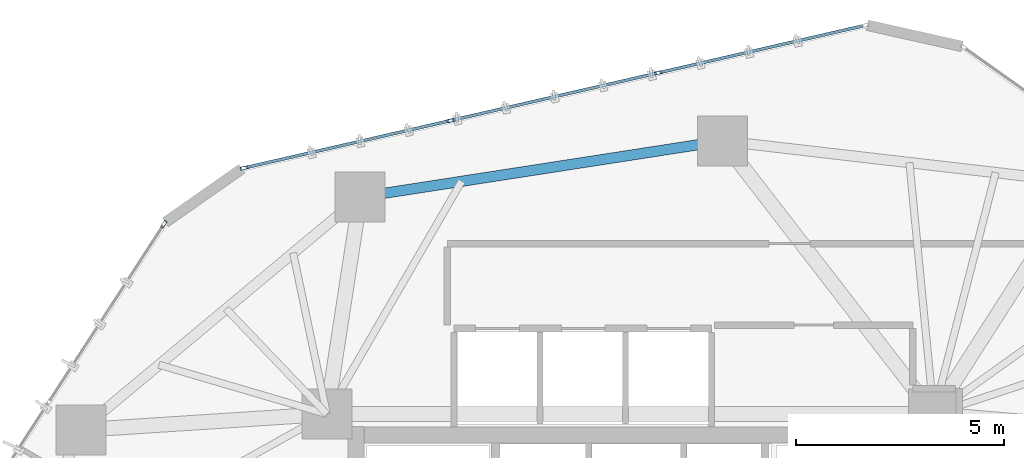
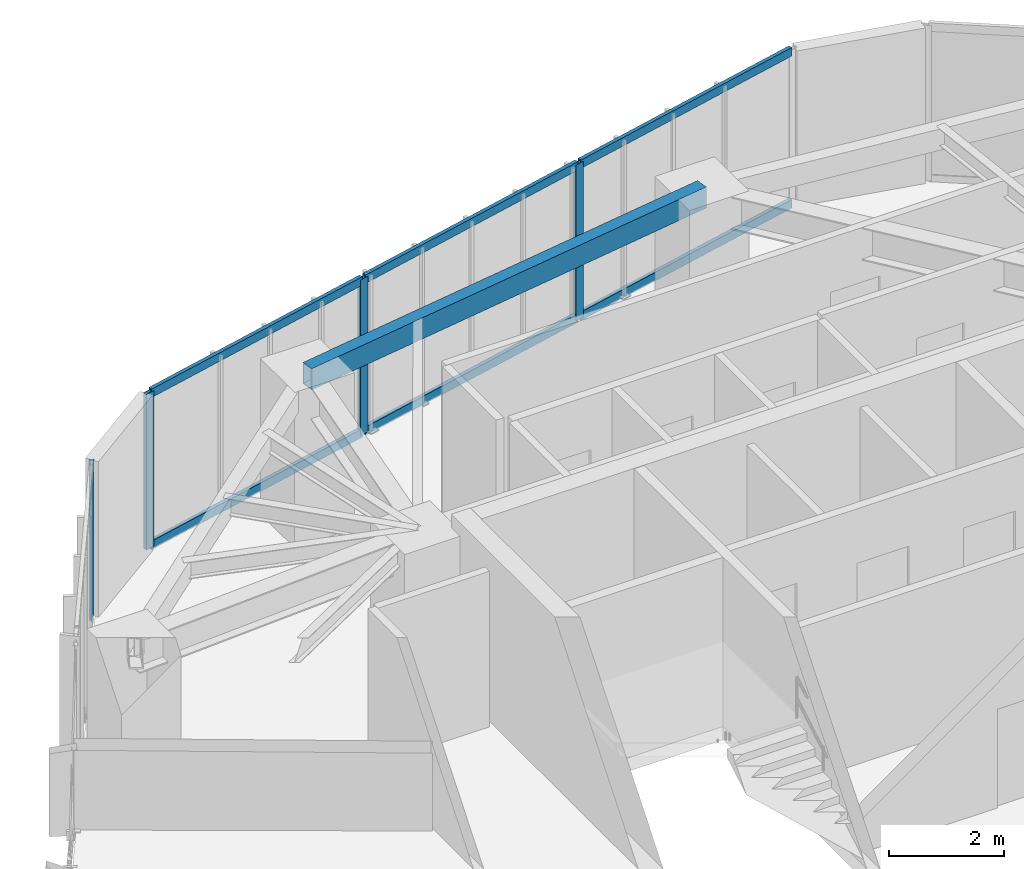
# One storey, part 14 of 21: 10 members, 1 beam, 2 elements without a shape of their own.
"""IFC4 building model written with IfcOpenShell, lengths in metres."""

from ifc_helpers import new_model, si_unit, direction, frame, origin, origin_2d, place, context, subcontext, project, spatial, hollow_rectangle, extrude, source, transform, mapped, material, layer, layer_set, material_profile, profile_set, type_object, type_shapes, element, aggregate, save


model = new_model("IFC4")

# Units and contexts
model_context = context("Model", 3, precision=1e-05, world=origin(), true_north=direction((0.0, 1.0)))
body_context = subcontext(model_context, "Body", "Model", "MODEL_VIEW")
ifc_project = project(units=[si_unit("LENGTHUNIT", "METRE"), si_unit("AREAUNIT", "SQUARE_METRE"), si_unit("VOLUMEUNIT", "CUBIC_METRE"), si_unit("PLANEANGLEUNIT", "RADIAN"), si_unit("MASSUNIT", "GRAM", prefix="KILO")], contexts=[model_context])

# Site, building, storey
site_placement = place(None, origin())
site = spatial("IfcSite", under=ifc_project, at=site_placement, CompositionType="ELEMENT")
building_placement = place(site_placement, origin())
building = spatial("IfcBuilding", under=site, at=building_placement, Name="Talar Marvaseh", CompositionType="ELEMENT")
storey_placement = place(building_placement, frame((0.0, 0.0, 129.0)))
storey = spatial("IfcBuildingStorey", under=building, at=storey_placement, Name="L33", CompositionType="ELEMENT", Elevation=129.0)

# Beam
ifc_material_1 = material(Name="Steel S355", Category="steel")
ifc_material_profile_1 = material_profile(ifc_material_1, hollow_rectangle(XDim=0.25, YDim=0.449951171875, WallThickness=0.01611328125, at=origin_2d()), Name="RHS450x250x16")
ifc_profile_set_1 = profile_set([ifc_material_profile_1], Name="Steel S355")
beam_type = type_object("IfcBeamType", Name="Zone 2 Perimeter Spandrel Beam RHS450x250x16", PredefinedType="SPANDREL", material=ifc_profile_set_1)
beam_placement = place(storey_placement, frame((19.5009765625, 42.123046875, 3.0849609375), z_axis=(0.988248879948, 0.152853365295, 0.0), x_axis=(-0.152853365295, 0.988248879948, 0.0)))
element("IfcBeam", 1, at=beam_placement, inside=storey, type_object=beam_type, Name="L33 Zone 2 Perimeter Spandrel Beam RHS450x250x16", PredefinedType="SPANDREL", context=body_context, shape_type="SweptSolid", body=[
    extrude(hollow_rectangle(XDim=0.25, YDim=0.449951171875, WallThickness=0.01611328125, at=origin_2d()), origin(), (0.0, 0.0, 1.0), 8.82470703125),
])

# Curtain wall, member
ifc_material_2 = material(Name="Architectural Aluminium", Category="aluminium")
ifc_layer = layer(ifc_material_2, 0.199951171875)
ifc_layer_set = layer_set([ifc_layer], Name="Architectural Aluminium")
curtain_wall_type = type_object("IfcCurtainWallType", Name="Unitised Acoustic Library Curtain Wall Z2", PredefinedType="NOTDEFINED", material=ifc_layer_set)
curtain_wall_1_placement = place(storey_placement, origin())
curtain_wall_1 = element("IfcCurtainWall", 2, at=curtain_wall_1_placement, inside=storey, type_object=curtain_wall_type, Name="L33 Unitised Acoustic Library Curtain Wall Z2", PredefinedType="NOTDEFINED")
ifc_material_profile_2 = material_profile(ifc_material_2, hollow_rectangle(XDim=0.074951171875, YDim=0.179931640625, WallThickness=0.0048828125, at=origin_2d()), Name="RHS180x75x5")
ifc_profile_set_2 = profile_set([ifc_material_profile_2], Name="Architectural Aluminium")
member_type_1 = type_object("IfcMemberType", Name="Unitised Curtain Wall Standard Mullion RHS180x75x5", PredefinedType="MULLION", material=ifc_profile_set_2)
shared_shape_1 = source(origin(), body_context, "Body", "SweptSolid", [
    extrude(hollow_rectangle(XDim=0.074951171875, YDim=0.179931640625, WallThickness=0.0048828125, at=origin_2d()), origin(), (0.0, 0.0, 1.0), 3.31005859375),
])
type_shapes(member_type_1, [shared_shape_1])
member_1_placement = place(storey_placement, frame((14.77880859375, 41.46875, 0.0), z_axis=(0.0, 0.0, 1.0), x_axis=(-0.839314849369, 0.543645641598, 0.0)))
member_1 = element("IfcMember", 3, at=member_1_placement, type_object=member_type_1, Name="CW-Z2 mullion 4", PredefinedType="MULLION", context=body_context, shape_type="MappedRepresentation", body=[
    mapped(shared_shape_1, transform((0.0, 0.0, 0.0), x_axis=(1.0, 0.0, 0.0), y_axis=(0.0, 1.0, 0.0), z_axis=(0.0, 0.0, 1.0), scale=1.0)),
])
aggregate(curtain_wall_1, [member_1])

# Curtain wall, members
curtain_wall_2_placement = place(storey_placement, origin())
curtain_wall_2 = element("IfcCurtainWall", 4, at=curtain_wall_2_placement, inside=storey, type_object=curtain_wall_type, Name="L33 Unitised Acoustic Library Curtain Wall Z2", PredefinedType="NOTDEFINED")
member_2_placement = place(storey_placement, frame((16.711669921875, 42.822265625, 0.0), z_axis=(0.0, 0.0, 1.0), x_axis=(-0.223792586722, 0.974636792928, 0.0)))
member_2 = element("IfcMember", 5, at=member_2_placement, type_object=member_type_1, Name="CW-Z2 mullion 1", PredefinedType="MULLION", context=body_context, shape_type="MappedRepresentation", body=[
    mapped(shared_shape_1, transform((0.0, 0.0, 0.0), x_axis=(1.0, 0.0, 0.0), y_axis=(0.0, 1.0, 0.0), z_axis=(0.0, 0.0, 1.0), scale=1.0)),
])
member_3_placement = place(storey_placement, frame((21.675048828125, 43.9619140625, 0.0), z_axis=(0.0, 0.0, 1.0), x_axis=(-0.223792586722, 0.974636792928, 0.0)))
member_3 = element("IfcMember", 6, at=member_3_placement, type_object=member_type_1, Name="CW-Z2 mullion 2", PredefinedType="MULLION", context=body_context, shape_type="MappedRepresentation", body=[
    mapped(shared_shape_1, transform((0.0, 0.0, 0.0), x_axis=(1.0, 0.0, 0.0), y_axis=(0.0, 1.0, 0.0), z_axis=(0.0, 0.0, 1.0), scale=1.0)),
])
member_4_placement = place(storey_placement, frame((26.675048828125, 45.10986328125, 0.0), z_axis=(0.0, 0.0, 1.0), x_axis=(-0.223792586722, 0.974636792928, 0.0)))
member_4 = element("IfcMember", 7, at=member_4_placement, type_object=member_type_1, Name="CW-Z2 mullion 3", PredefinedType="MULLION", context=body_context, shape_type="MappedRepresentation", body=[
    mapped(shared_shape_1, transform((0.0, 0.0, 0.0), x_axis=(1.0, 0.0, 0.0), y_axis=(0.0, 1.0, 0.0), z_axis=(0.0, 0.0, 1.0), scale=1.0)),
])
ifc_material_profile_3 = material_profile(ifc_material_2, hollow_rectangle(XDim=0.074951171875, YDim=0.179931640625, WallThickness=0.0048828125, at=origin_2d()), Name="RHS180x75x5")
ifc_profile_set_3 = profile_set([ifc_material_profile_3], Name="Architectural Aluminium")
member_type_2 = type_object("IfcMemberType", Name="Unitised Curtain Wall Transom RHS180x75x5", PredefinedType="USERDEFINED", material=ifc_profile_set_3)
shared_shape_2 = source(origin(), body_context, "Body", "SweptSolid", [
    extrude(hollow_rectangle(XDim=0.074951171875, YDim=0.179931640625, WallThickness=0.0048828125, at=origin_2d()), origin(), (0.0, 0.0, 1.0), 5.017578125),
])
member_5_placement = place(storey_placement, frame((26.71142578125, 45.118408203125, 0.03759765625), z_axis=(0.974641526092, 0.223771972368, 0.0), x_axis=(-0.223771972368, 0.974641526092, 0.0)))
member_5 = element("IfcMember", 8, at=member_5_placement, type_object=member_type_2, Name="CW-Z2 transom 3.1", ObjectType="TRANSOM", PredefinedType="USERDEFINED", context=body_context, shape_type="MappedRepresentation", body=[
    mapped(shared_shape_2, transform((0.0, 0.0, 0.0), x_axis=(1.0, 0.0, 0.0), y_axis=(0.0, 1.0, 0.0), z_axis=(0.0, 0.0, 1.0), scale=1.0)),
])
member_6_placement = place(storey_placement, frame((26.71142578125, 45.118408203125, 3.2724609375), z_axis=(0.974641526092, 0.223771972368, 0.0), x_axis=(-0.223771972368, 0.974641526092, 0.0)))
member_6 = element("IfcMember", 9, at=member_6_placement, type_object=member_type_2, Name="CW-Z2 transom 3.2", ObjectType="TRANSOM", PredefinedType="USERDEFINED", context=body_context, shape_type="MappedRepresentation", body=[
    mapped(shared_shape_2, transform((0.0, 0.0, 0.0), x_axis=(1.0, 0.0, 0.0), y_axis=(0.0, 1.0, 0.0), z_axis=(0.0, 0.0, 1.0), scale=1.0)),
])
shared_shape_3 = source(origin(), body_context, "Body", "SweptSolid", [
    extrude(hollow_rectangle(XDim=0.074951171875, YDim=0.179931640625, WallThickness=0.0048828125, at=origin_2d()), origin(), (0.0, 0.0, 1.0), 5.054931640625),
])
member_7_placement = place(storey_placement, frame((21.711669921875, 43.97021484375, 0.03759765625), z_axis=(0.974633198991, 0.223808238064, 0.0), x_axis=(-0.223808238064, 0.974633198991, 0.0)))
member_7 = element("IfcMember", 10, at=member_7_placement, type_object=member_type_2, Name="CW-Z2 transom 2.1", ObjectType="TRANSOM", PredefinedType="USERDEFINED", context=body_context, shape_type="MappedRepresentation", body=[
    mapped(shared_shape_3, transform((0.0, 0.0, 0.0), x_axis=(1.0, 0.0, 0.0), y_axis=(0.0, 1.0, 0.0), z_axis=(0.0, 0.0, 1.0), scale=1.0)),
])
member_8_placement = place(storey_placement, frame((21.711669921875, 43.97021484375, 3.2724609375), z_axis=(0.974633198991, 0.223808238064, 0.0), x_axis=(-0.223808238064, 0.974633198991, 0.0)))
member_8 = element("IfcMember", 11, at=member_8_placement, type_object=member_type_2, Name="CW-Z2 transom 2.2", ObjectType="TRANSOM", PredefinedType="USERDEFINED", context=body_context, shape_type="MappedRepresentation", body=[
    mapped(shared_shape_3, transform((0.0, 0.0, 0.0), x_axis=(1.0, 0.0, 0.0), y_axis=(0.0, 1.0, 0.0), z_axis=(0.0, 0.0, 1.0), scale=1.0)),
])
shared_shape_4 = source(origin(), body_context, "Body", "SweptSolid", [
    extrude(hollow_rectangle(XDim=0.074951171875, YDim=0.179931640625, WallThickness=0.0048828125, at=origin_2d()), origin(), (0.0, 0.0, 1.0), 5.017333984375),
])
type_shapes(member_type_2, [shared_shape_2, shared_shape_3, shared_shape_4])
member_9_placement = place(storey_placement, frame((16.748291015625, 42.83056640625, 0.03759765625), z_axis=(0.97463908949, 0.223782584751, 0.0), x_axis=(-0.223782584751, 0.97463908949, 0.0)))
member_9 = element("IfcMember", 12, at=member_9_placement, type_object=member_type_2, Name="CW-Z2 transom 1.1", ObjectType="TRANSOM", PredefinedType="USERDEFINED", context=body_context, shape_type="MappedRepresentation", body=[
    mapped(shared_shape_4, transform((0.0, 0.0, 0.0), x_axis=(1.0, 0.0, 0.0), y_axis=(0.0, 1.0, 0.0), z_axis=(0.0, 0.0, 1.0), scale=1.0)),
])
member_10_placement = place(storey_placement, frame((16.748291015625, 42.83056640625, 3.2724609375), z_axis=(0.97463908949, 0.223782584751, 0.0), x_axis=(-0.223782584751, 0.97463908949, 0.0)))
member_10 = element("IfcMember", 13, at=member_10_placement, type_object=member_type_2, Name="CW-Z2 transom 1.2", ObjectType="TRANSOM", PredefinedType="USERDEFINED", context=body_context, shape_type="MappedRepresentation", body=[
    mapped(shared_shape_4, transform((0.0, 0.0, 0.0), x_axis=(1.0, 0.0, 0.0), y_axis=(0.0, 1.0, 0.0), z_axis=(0.0, 0.0, 1.0), scale=1.0)),
])
aggregate(curtain_wall_2, [member_2, member_3, member_4, member_9, member_10, member_7, member_8, member_5, member_6])

save(model, "model.ifc")
